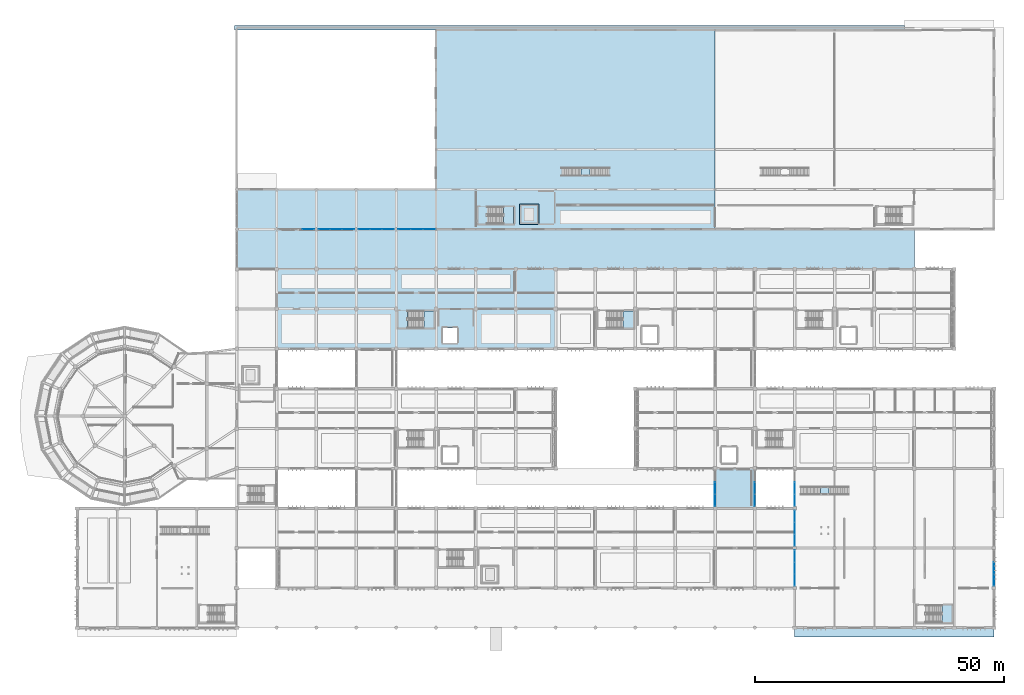
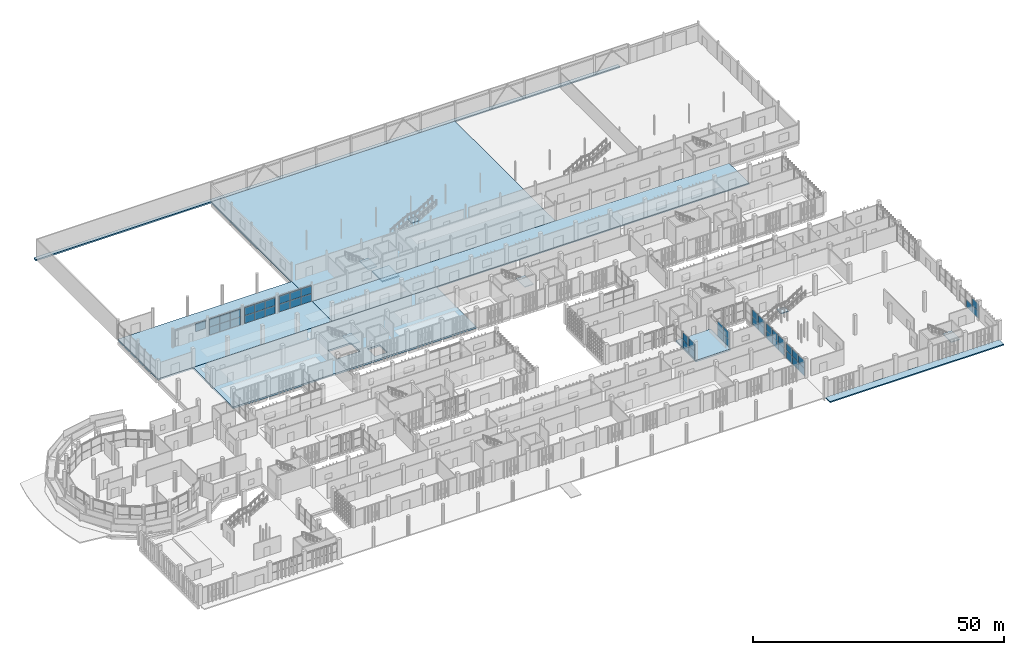
# One storey, part 79 of 117: 46 plates, 14 slabs, 16 elements without a shape of their own.
"""IFC4 building model written with IfcOpenShell, lengths in metres."""

from ifc_helpers import new_model, si_unit, direction, frame, origin, origin_2d, place, context, subcontext, project, spatial, polyline, rectangle, outline, extrude, material, layer, layer_set, type_object, element, aggregate, save


model = new_model("IFC4")

# Units and contexts
model_context = context("Model", 3, precision=1e-05, world=origin(), true_north=direction((0.0, 1.0)))
body_context = subcontext(model_context, "Body", "Model", "MODEL_VIEW")
ifc_project = project(units=[si_unit("LENGTHUNIT", "METRE"), si_unit("AREAUNIT", "SQUARE_METRE"), si_unit("VOLUMEUNIT", "CUBIC_METRE"), si_unit("PLANEANGLEUNIT", "RADIAN"), si_unit("MASSUNIT", "GRAM", prefix="KILO")], contexts=[model_context])

# Site, building, storey
site_placement = place(None, origin())
site = spatial("IfcSite", under=ifc_project, at=site_placement, CompositionType="ELEMENT")
building_placement = place(site_placement, origin())
building = spatial("IfcBuilding", under=site, at=building_placement, Name="Jelvoka-Kovrelna Polytechnic", CompositionType="ELEMENT")
storey_placement = place(building_placement, origin())
storey = spatial("IfcBuildingStorey", under=building, at=storey_placement, Name="L01", CompositionType="ELEMENT", Elevation=0.0)

# Curtain wall, plates
ifc_material_1 = material(Name="Anodised aluminium 6063-T6", Category="aluminium")
ifc_layer_1 = layer(ifc_material_1, 0.159912109375)
ifc_layer_set_1 = layer_set([ifc_layer_1], Name="Anodised aluminium 6063-T6")
curtain_wall_type_1 = type_object("IfcCurtainWallType", Name="CW_LinkBridge", PredefinedType="NOTDEFINED", material=ifc_layer_set_1)
curtain_wall_1_placement = place(storey_placement, origin())
curtain_wall_1 = element("IfcCurtainWall", 1, at=curtain_wall_1_placement, inside=storey, type_object=curtain_wall_type_1, Name="L01 glazed curtain wall 106", PredefinedType="NOTDEFINED")
ifc_material_2 = material(Name="Solar-control double glazing", Category="glass")
ifc_layer_2 = layer(ifc_material_2, 0.02392578125)
ifc_layer_set_2 = layer_set([ifc_layer_2], Name="Solar-control double glazing")
plate_type_1 = type_object("IfcPlateType", Name="Panel_GP-04", PredefinedType="CURTAIN_PANEL", material=ifc_layer_set_2)
plate_1_placement = place(storey_placement, frame((144.0, 25.614990234375, 0.052001953125), z_axis=(0.0, 0.0, 1.0), x_axis=(0.0, 1.0, 0.0)))
plate_1 = element("IfcPlate", 2, at=plate_1_placement, type_object=plate_type_1, Name="CW-04 panel 1.1", PredefinedType="CURTAIN_PANEL", context=body_context, shape_type="SweptSolid", body=[
    extrude(rectangle(XDim=2.326171875, YDim=0.02392578125, at=origin_2d()), origin(), (0.0, 0.0, 1.0), 1.80615234375),
])
plate_2_placement = place(storey_placement, frame((144.0, 25.614990234375, 1.90185546875), z_axis=(0.0, 0.0, 1.0), x_axis=(0.0, 1.0, 0.0)))
plate_2 = element("IfcPlate", 3, at=plate_2_placement, type_object=plate_type_1, Name="CW-04 panel 1.2", PredefinedType="CURTAIN_PANEL", context=body_context, shape_type="SweptSolid", body=[
    extrude(rectangle(XDim=2.326171875, YDim=0.02392578125, at=origin_2d()), origin(), (0.0, 0.0, 1.0), 1.80615234375),
])
plate_3_placement = place(storey_placement, frame((144.0, 28.0, 0.052001953125), z_axis=(0.0, 0.0, 1.0), x_axis=(0.0, 1.0, 0.0)))
plate_3 = element("IfcPlate", 4, at=plate_3_placement, type_object=plate_type_1, Name="CW-04 panel 2.1", PredefinedType="CURTAIN_PANEL", context=body_context, shape_type="SweptSolid", body=[
    extrude(rectangle(XDim=2.356201171875, YDim=0.02392578125, at=origin_2d()), origin(), (0.0, 0.0, 1.0), 1.80615234375),
])
plate_4_placement = place(storey_placement, frame((144.0, 28.0, 1.90185546875), z_axis=(0.0, 0.0, 1.0), x_axis=(0.0, 1.0, 0.0)))
plate_4 = element("IfcPlate", 5, at=plate_4_placement, type_object=plate_type_1, Name="CW-04 panel 2.2", PredefinedType="CURTAIN_PANEL", context=body_context, shape_type="SweptSolid", body=[
    extrude(rectangle(XDim=2.356201171875, YDim=0.02392578125, at=origin_2d()), origin(), (0.0, 0.0, 1.0), 1.80615234375),
])
aggregate(curtain_wall_1, [plate_1, plate_2, plate_3, plate_4])

curtain_wall_2_placement = place(storey_placement, origin())
curtain_wall_2 = element("IfcCurtainWall", 6, at=curtain_wall_2_placement, inside=storey, type_object=curtain_wall_type_1, Name="L01 glazed curtain wall 107", PredefinedType="NOTDEFINED")
plate_5_placement = place(storey_placement, frame((152.0, 28.0, 0.052001953125), z_axis=(0.0, 0.0, 1.0), x_axis=(0.0, -1.0, 0.0)))
plate_5 = element("IfcPlate", 7, at=plate_5_placement, type_object=plate_type_1, Name="CW-04 panel 2.1", PredefinedType="CURTAIN_PANEL", context=body_context, shape_type="SweptSolid", body=[
    extrude(rectangle(XDim=2.356201171875, YDim=0.02392578125, at=origin_2d()), origin(), (0.0, 0.0, 1.0), 1.80615234375),
])
plate_6_placement = place(storey_placement, frame((152.0, 28.0, 1.90185546875), z_axis=(0.0, 0.0, 1.0), x_axis=(0.0, -1.0, 0.0)))
plate_6 = element("IfcPlate", 8, at=plate_6_placement, type_object=plate_type_1, Name="CW-04 panel 2.2", PredefinedType="CURTAIN_PANEL", context=body_context, shape_type="SweptSolid", body=[
    extrude(rectangle(XDim=2.356201171875, YDim=0.02392578125, at=origin_2d()), origin(), (0.0, 0.0, 1.0), 1.80615234375),
])
plate_7_placement = place(storey_placement, frame((152.0, 25.614990234375, 0.052001953125), z_axis=(0.0, 0.0, 1.0), x_axis=(0.0, -1.0, 0.0)))
plate_7 = element("IfcPlate", 9, at=plate_7_placement, type_object=plate_type_1, Name="CW-04 panel 3.1", PredefinedType="CURTAIN_PANEL", context=body_context, shape_type="SweptSolid", body=[
    extrude(rectangle(XDim=2.326171875, YDim=0.02392578125, at=origin_2d()), origin(), (0.0, 0.0, 1.0), 1.80615234375),
])
plate_8_placement = place(storey_placement, frame((152.0, 25.614990234375, 1.90185546875), z_axis=(0.0, 0.0, 1.0), x_axis=(0.0, -1.0, 0.0)))
plate_8 = element("IfcPlate", 10, at=plate_8_placement, type_object=plate_type_1, Name="CW-04 panel 3.2", PredefinedType="CURTAIN_PANEL", context=body_context, shape_type="SweptSolid", body=[
    extrude(rectangle(XDim=2.326171875, YDim=0.02392578125, at=origin_2d()), origin(), (0.0, 0.0, 1.0), 1.80615234375),
])
aggregate(curtain_wall_2, [plate_5, plate_6, plate_7, plate_8])

# Curtain wall, plate
ifc_material_3 = material(Name="Anodised aluminium 6063-T6", Category="aluminium")
ifc_layer_3 = layer(ifc_material_3, 0.179931640625)
ifc_layer_set_3 = layer_set([ifc_layer_3], Name="Anodised aluminium 6063-T6")
curtain_wall_type_2 = type_object("IfcCurtainWallType", Name="CW_Pavilion", PredefinedType="NOTDEFINED", material=ifc_layer_set_3)
curtain_wall_3_placement = place(storey_placement, origin())
curtain_wall_3 = element("IfcCurtainWall", 11, at=curtain_wall_3_placement, inside=storey, type_object=curtain_wall_type_2, Name="L01 glazed curtain wall 165", PredefinedType="NOTDEFINED")
ifc_material_4 = material(Name="Solar-control double glazing", Category="glass")
ifc_layer_4 = layer(ifc_material_4, 0.030029296875)
ifc_layer_set_4 = layer_set([ifc_layer_4], Name="Solar-control double glazing")
plate_type_2 = type_object("IfcPlateType", Name="Panel_GP-05", PredefinedType="CURTAIN_PANEL", material=ifc_layer_set_4)
plate_9_placement = place(storey_placement, frame((62.3837890625, 80.0, 2.001953125), z_axis=(0.0, 0.0, 1.0), x_axis=(1.0, 0.0, 0.0)))
plate_9 = element("IfcPlate", 12, at=plate_9_placement, type_object=plate_type_2, Name="CW-05 panel 3.2", PredefinedType="CURTAIN_PANEL", context=body_context, shape_type="SweptSolid", body=[
    extrude(rectangle(XDim=2.318603515625, YDim=0.030029296875, at=origin_2d()), origin(), (0.0, 0.0, 1.0), 1.89599609375),
])
aggregate(curtain_wall_3, [plate_9])

# Curtain wall, plates
curtain_wall_4_placement = place(storey_placement, origin())
curtain_wall_4 = element("IfcCurtainWall", 13, at=curtain_wall_4_placement, inside=storey, type_object=curtain_wall_type_2, Name="L01 glazed curtain wall 166", PredefinedType="NOTDEFINED")
plate_10_placement = place(storey_placement, frame((65.6162109375, 80.0, 0.056884765625), z_axis=(0.0, 0.0, 1.0), x_axis=(1.0, 0.0, 0.0)))
plate_10 = element("IfcPlate", 14, at=plate_10_placement, type_object=plate_type_2, Name="CW-05 panel 1.1", PredefinedType="CURTAIN_PANEL", context=body_context, shape_type="SweptSolid", body=[
    extrude(rectangle(XDim=2.318603515625, YDim=0.030029296875, at=origin_2d()), origin(), (0.0, 0.0, 1.0), 1.89599609375),
])
plate_11_placement = place(storey_placement, frame((65.6162109375, 80.0, 2.001953125), z_axis=(0.0, 0.0, 1.0), x_axis=(1.0, 0.0, 0.0)))
plate_11 = element("IfcPlate", 15, at=plate_11_placement, type_object=plate_type_2, Name="CW-05 panel 1.2", PredefinedType="CURTAIN_PANEL", context=body_context, shape_type="SweptSolid", body=[
    extrude(rectangle(XDim=2.318603515625, YDim=0.030029296875, at=origin_2d()), origin(), (0.0, 0.0, 1.0), 1.89599609375),
])
plate_12_placement = place(storey_placement, frame((68.0, 80.0, 0.056884765625), z_axis=(0.0, 0.0, 1.0), x_axis=(1.0, 0.0, 0.0)))
plate_12 = element("IfcPlate", 16, at=plate_12_placement, type_object=plate_type_2, Name="CW-05 panel 2.1", PredefinedType="CURTAIN_PANEL", context=body_context, shape_type="SweptSolid", body=[
    extrude(rectangle(XDim=2.35107421875, YDim=0.030029296875, at=origin_2d()), origin(), (0.0, 0.0, 1.0), 1.89599609375),
])
plate_13_placement = place(storey_placement, frame((68.0, 80.0, 2.001953125), z_axis=(0.0, 0.0, 1.0), x_axis=(1.0, 0.0, 0.0)))
plate_13 = element("IfcPlate", 17, at=plate_13_placement, type_object=plate_type_2, Name="CW-05 panel 2.2", PredefinedType="CURTAIN_PANEL", context=body_context, shape_type="SweptSolid", body=[
    extrude(rectangle(XDim=2.35107421875, YDim=0.030029296875, at=origin_2d()), origin(), (0.0, 0.0, 1.0), 1.89599609375),
])
plate_14_placement = place(storey_placement, frame((70.3837890625, 80.0, 0.056884765625), z_axis=(0.0, 0.0, 1.0), x_axis=(1.0, 0.0, 0.0)))
plate_14 = element("IfcPlate", 18, at=plate_14_placement, type_object=plate_type_2, Name="CW-05 panel 3.1", PredefinedType="CURTAIN_PANEL", context=body_context, shape_type="SweptSolid", body=[
    extrude(rectangle(XDim=2.318603515625, YDim=0.030029296875, at=origin_2d()), origin(), (0.0, 0.0, 1.0), 1.89599609375),
])
plate_15_placement = place(storey_placement, frame((70.3837890625, 80.0, 2.001953125), z_axis=(0.0, 0.0, 1.0), x_axis=(1.0, 0.0, 0.0)))
plate_15 = element("IfcPlate", 19, at=plate_15_placement, type_object=plate_type_2, Name="CW-05 panel 3.2", PredefinedType="CURTAIN_PANEL", context=body_context, shape_type="SweptSolid", body=[
    extrude(rectangle(XDim=2.318603515625, YDim=0.030029296875, at=origin_2d()), origin(), (0.0, 0.0, 1.0), 1.89599609375),
])
aggregate(curtain_wall_4, [plate_10, plate_11, plate_12, plate_13, plate_14, plate_15])

curtain_wall_5_placement = place(storey_placement, origin())
curtain_wall_5 = element("IfcCurtainWall", 20, at=curtain_wall_5_placement, inside=storey, type_object=curtain_wall_type_2, Name="L01 glazed curtain wall 167", PredefinedType="NOTDEFINED")
plate_16_placement = place(storey_placement, frame((73.6162109375, 80.0, 0.056884765625), z_axis=(0.0, 0.0, 1.0), x_axis=(1.0, 0.0, 0.0)))
plate_16 = element("IfcPlate", 21, at=plate_16_placement, type_object=plate_type_2, Name="CW-05 panel 1.1", PredefinedType="CURTAIN_PANEL", context=body_context, shape_type="SweptSolid", body=[
    extrude(rectangle(XDim=2.318603515625, YDim=0.030029296875, at=origin_2d()), origin(), (0.0, 0.0, 1.0), 1.89599609375),
])
plate_17_placement = place(storey_placement, frame((73.6162109375, 80.0, 2.001953125), z_axis=(0.0, 0.0, 1.0), x_axis=(1.0, 0.0, 0.0)))
plate_17 = element("IfcPlate", 22, at=plate_17_placement, type_object=plate_type_2, Name="CW-05 panel 1.2", PredefinedType="CURTAIN_PANEL", context=body_context, shape_type="SweptSolid", body=[
    extrude(rectangle(XDim=2.318603515625, YDim=0.030029296875, at=origin_2d()), origin(), (0.0, 0.0, 1.0), 1.89599609375),
])
plate_18_placement = place(storey_placement, frame((76.0, 80.0, 0.056884765625), z_axis=(0.0, 0.0, 1.0), x_axis=(1.0, 0.0, 0.0)))
plate_18 = element("IfcPlate", 23, at=plate_18_placement, type_object=plate_type_2, Name="CW-05 panel 2.1", PredefinedType="CURTAIN_PANEL", context=body_context, shape_type="SweptSolid", body=[
    extrude(rectangle(XDim=2.35107421875, YDim=0.030029296875, at=origin_2d()), origin(), (0.0, 0.0, 1.0), 1.89599609375),
])
plate_19_placement = place(storey_placement, frame((76.0, 80.0, 2.001953125), z_axis=(0.0, 0.0, 1.0), x_axis=(1.0, 0.0, 0.0)))
plate_19 = element("IfcPlate", 24, at=plate_19_placement, type_object=plate_type_2, Name="CW-05 panel 2.2", PredefinedType="CURTAIN_PANEL", context=body_context, shape_type="SweptSolid", body=[
    extrude(rectangle(XDim=2.35107421875, YDim=0.030029296875, at=origin_2d()), origin(), (0.0, 0.0, 1.0), 1.89599609375),
])
plate_20_placement = place(storey_placement, frame((78.3837890625, 80.0, 0.056884765625), z_axis=(0.0, 0.0, 1.0), x_axis=(1.0, 0.0, 0.0)))
plate_20 = element("IfcPlate", 25, at=plate_20_placement, type_object=plate_type_2, Name="CW-05 panel 3.1", PredefinedType="CURTAIN_PANEL", context=body_context, shape_type="SweptSolid", body=[
    extrude(rectangle(XDim=2.318603515625, YDim=0.030029296875, at=origin_2d()), origin(), (0.0, 0.0, 1.0), 1.89599609375),
])
plate_21_placement = place(storey_placement, frame((78.3837890625, 80.0, 2.001953125), z_axis=(0.0, 0.0, 1.0), x_axis=(1.0, 0.0, 0.0)))
plate_21 = element("IfcPlate", 26, at=plate_21_placement, type_object=plate_type_2, Name="CW-05 panel 3.2", PredefinedType="CURTAIN_PANEL", context=body_context, shape_type="SweptSolid", body=[
    extrude(rectangle(XDim=2.318603515625, YDim=0.030029296875, at=origin_2d()), origin(), (0.0, 0.0, 1.0), 1.89599609375),
])
aggregate(curtain_wall_5, [plate_16, plate_17, plate_18, plate_19, plate_20, plate_21])

curtain_wall_6_placement = place(storey_placement, origin())
curtain_wall_6 = element("IfcCurtainWall", 27, at=curtain_wall_6_placement, inside=storey, type_object=curtain_wall_type_2, Name="L01 glazed curtain wall 168", PredefinedType="NOTDEFINED")
plate_22_placement = place(storey_placement, frame((81.6796875, 80.0, 0.056884765625), z_axis=(0.0, 0.0, 1.0), x_axis=(1.0, 0.0, 0.0)))
plate_22 = element("IfcPlate", 28, at=plate_22_placement, type_object=plate_type_2, Name="CW-05 panel 1.1", PredefinedType="CURTAIN_PANEL", context=body_context, shape_type="SweptSolid", body=[
    extrude(rectangle(XDim=2.4453125, YDim=0.030029296875, at=origin_2d()), origin(), (0.0, 0.0, 1.0), 1.89599609375),
])
plate_23_placement = place(storey_placement, frame((81.6796875, 80.0, 2.001953125), z_axis=(0.0, 0.0, 1.0), x_axis=(1.0, 0.0, 0.0)))
plate_23 = element("IfcPlate", 29, at=plate_23_placement, type_object=plate_type_2, Name="CW-05 panel 1.2", PredefinedType="CURTAIN_PANEL", context=body_context, shape_type="SweptSolid", body=[
    extrude(rectangle(XDim=2.4453125, YDim=0.030029296875, at=origin_2d()), origin(), (0.0, 0.0, 1.0), 1.89599609375),
])
plate_24_placement = place(storey_placement, frame((84.18994140625, 80.0, 0.056884765625), z_axis=(0.0, 0.0, 1.0), x_axis=(1.0, 0.0, 0.0)))
plate_24 = element("IfcPlate", 30, at=plate_24_placement, type_object=plate_type_2, Name="CW-05 panel 2.1", PredefinedType="CURTAIN_PANEL", context=body_context, shape_type="SweptSolid", body=[
    extrude(rectangle(XDim=2.477783203125, YDim=0.030029296875, at=origin_2d()), origin(), (0.0, 0.0, 1.0), 1.89599609375),
])
plate_25_placement = place(storey_placement, frame((84.18994140625, 80.0, 2.001953125), z_axis=(0.0, 0.0, 1.0), x_axis=(1.0, 0.0, 0.0)))
plate_25 = element("IfcPlate", 31, at=plate_25_placement, type_object=plate_type_2, Name="CW-05 panel 2.2", PredefinedType="CURTAIN_PANEL", context=body_context, shape_type="SweptSolid", body=[
    extrude(rectangle(XDim=2.477783203125, YDim=0.030029296875, at=origin_2d()), origin(), (0.0, 0.0, 1.0), 1.89599609375),
])
plate_26_placement = place(storey_placement, frame((86.700439453125, 80.0, 0.056884765625), z_axis=(0.0, 0.0, 1.0), x_axis=(1.0, 0.0, 0.0)))
plate_26 = element("IfcPlate", 32, at=plate_26_placement, type_object=plate_type_2, Name="CW-05 panel 3.1", PredefinedType="CURTAIN_PANEL", context=body_context, shape_type="SweptSolid", body=[
    extrude(rectangle(XDim=2.4453125, YDim=0.030029296875, at=origin_2d()), origin(), (0.0, 0.0, 1.0), 1.89599609375),
])
plate_27_placement = place(storey_placement, frame((86.700439453125, 80.0, 2.001953125), z_axis=(0.0, 0.0, 1.0), x_axis=(1.0, 0.0, 0.0)))
plate_27 = element("IfcPlate", 33, at=plate_27_placement, type_object=plate_type_2, Name="CW-05 panel 3.2", PredefinedType="CURTAIN_PANEL", context=body_context, shape_type="SweptSolid", body=[
    extrude(rectangle(XDim=2.4453125, YDim=0.030029296875, at=origin_2d()), origin(), (0.0, 0.0, 1.0), 1.89599609375),
])
aggregate(curtain_wall_6, [plate_22, plate_23, plate_24, plate_25, plate_26, plate_27])

curtain_wall_7_placement = place(storey_placement, origin())
curtain_wall_7 = element("IfcCurtainWall", 34, at=curtain_wall_7_placement, inside=storey, type_object=curtain_wall_type_2, Name="L01 glazed curtain wall 270", PredefinedType="NOTDEFINED")
plate_28_placement = place(storey_placement, frame((200.0, 12.0, 0.056884765625), z_axis=(0.0, 0.0, 1.0), x_axis=(0.0, -1.0, 0.0)))
plate_28 = element("IfcPlate", 35, at=plate_28_placement, type_object=plate_type_2, Name="CW-05 panel 2.1", PredefinedType="CURTAIN_PANEL", context=body_context, shape_type="SweptSolid", body=[
    extrude(rectangle(XDim=2.35107421875, YDim=0.030029296875, at=origin_2d()), origin(), (0.0, 0.0, 1.0), 1.713623046875),
])
plate_29_placement = place(storey_placement, frame((200.0, 9.6162109375, 0.056884765625), z_axis=(0.0, 0.0, 1.0), x_axis=(0.0, -1.0, 0.0)))
plate_29 = element("IfcPlate", 36, at=plate_29_placement, type_object=plate_type_2, Name="CW-05 panel 3.1", PredefinedType="CURTAIN_PANEL", context=body_context, shape_type="SweptSolid", body=[
    extrude(rectangle(XDim=2.318603515625, YDim=0.030029296875, at=origin_2d()), origin(), (0.0, 0.0, 1.0), 1.713623046875),
])
plate_30_placement = place(storey_placement, frame((200.0, 9.6162109375, 1.819580078125), z_axis=(0.0, 0.0, 1.0), x_axis=(0.0, -1.0, 0.0)))
plate_30 = element("IfcPlate", 37, at=plate_30_placement, type_object=plate_type_2, Name="CW-05 panel 3.2", PredefinedType="CURTAIN_PANEL", context=body_context, shape_type="SweptSolid", body=[
    extrude(rectangle(XDim=2.318603515625, YDim=0.030029296875, at=origin_2d()), origin(), (0.0, 0.0, 1.0), 1.713623046875),
])
aggregate(curtain_wall_7, [plate_28, plate_29, plate_30])

curtain_wall_8_placement = place(storey_placement, origin())
curtain_wall_8 = element("IfcCurtainWall", 38, at=curtain_wall_8_placement, inside=storey, type_object=curtain_wall_type_2, Name="L01 glazed curtain wall 272", PredefinedType="NOTDEFINED")
plate_31_placement = place(storey_placement, frame((160.0, 9.6162109375, 0.056884765625), z_axis=(0.0, 0.0, 1.0), x_axis=(0.0, 1.0, 0.0)))
plate_31 = element("IfcPlate", 39, at=plate_31_placement, type_object=plate_type_2, Name="CW-05 panel 1.1", PredefinedType="CURTAIN_PANEL", context=body_context, shape_type="SweptSolid", body=[
    extrude(rectangle(XDim=2.318603515625, YDim=0.030029296875, at=origin_2d()), origin(), (0.0, 0.0, 1.0), 1.82470703125),
])
plate_32_placement = place(storey_placement, frame((160.0, 9.6162109375, 1.930419921875), z_axis=(0.0, 0.0, 1.0), x_axis=(0.0, 1.0, 0.0)))
plate_32 = element("IfcPlate", 40, at=plate_32_placement, type_object=plate_type_2, Name="CW-05 panel 1.2", PredefinedType="CURTAIN_PANEL", context=body_context, shape_type="SweptSolid", body=[
    extrude(rectangle(XDim=2.318603515625, YDim=0.030029296875, at=origin_2d()), origin(), (0.0, 0.0, 1.0), 1.82470703125),
])
plate_33_placement = place(storey_placement, frame((160.0, 12.0, 0.056884765625), z_axis=(0.0, 0.0, 1.0), x_axis=(0.0, 1.0, 0.0)))
plate_33 = element("IfcPlate", 41, at=plate_33_placement, type_object=plate_type_2, Name="CW-05 panel 2.1", PredefinedType="CURTAIN_PANEL", context=body_context, shape_type="SweptSolid", body=[
    extrude(rectangle(XDim=2.35107421875, YDim=0.030029296875, at=origin_2d()), origin(), (0.0, 0.0, 1.0), 1.82470703125),
])
plate_34_placement = place(storey_placement, frame((160.0, 12.0, 1.930419921875), z_axis=(0.0, 0.0, 1.0), x_axis=(0.0, 1.0, 0.0)))
plate_34 = element("IfcPlate", 42, at=plate_34_placement, type_object=plate_type_2, Name="CW-05 panel 2.2", PredefinedType="CURTAIN_PANEL", context=body_context, shape_type="SweptSolid", body=[
    extrude(rectangle(XDim=2.35107421875, YDim=0.030029296875, at=origin_2d()), origin(), (0.0, 0.0, 1.0), 1.82470703125),
])
plate_35_placement = place(storey_placement, frame((160.0, 14.3837890625, 0.056884765625), z_axis=(0.0, 0.0, 1.0), x_axis=(0.0, 1.0, 0.0)))
plate_35 = element("IfcPlate", 43, at=plate_35_placement, type_object=plate_type_2, Name="CW-05 panel 3.1", PredefinedType="CURTAIN_PANEL", context=body_context, shape_type="SweptSolid", body=[
    extrude(rectangle(XDim=2.318603515625, YDim=0.030029296875, at=origin_2d()), origin(), (0.0, 0.0, 1.0), 1.82470703125),
])
plate_36_placement = place(storey_placement, frame((160.0, 14.3837890625, 1.930419921875), z_axis=(0.0, 0.0, 1.0), x_axis=(0.0, 1.0, 0.0)))
plate_36 = element("IfcPlate", 44, at=plate_36_placement, type_object=plate_type_2, Name="CW-05 panel 3.2", PredefinedType="CURTAIN_PANEL", context=body_context, shape_type="SweptSolid", body=[
    extrude(rectangle(XDim=2.318603515625, YDim=0.030029296875, at=origin_2d()), origin(), (0.0, 0.0, 1.0), 1.82470703125),
])
aggregate(curtain_wall_8, [plate_31, plate_32, plate_33, plate_34, plate_35, plate_36])

curtain_wall_9_placement = place(storey_placement, origin())
curtain_wall_9 = element("IfcCurtainWall", 45, at=curtain_wall_9_placement, inside=storey, type_object=curtain_wall_type_2, Name="L01 glazed curtain wall 273", PredefinedType="NOTDEFINED")
plate_37_placement = place(storey_placement, frame((160.0, 17.6162109375, 0.056884765625), z_axis=(0.0, 0.0, 1.0), x_axis=(0.0, 1.0, 0.0)))
plate_37 = element("IfcPlate", 46, at=plate_37_placement, type_object=plate_type_2, Name="CW-05 panel 1.1", PredefinedType="CURTAIN_PANEL", context=body_context, shape_type="SweptSolid", body=[
    extrude(rectangle(XDim=2.318603515625, YDim=0.030029296875, at=origin_2d()), origin(), (0.0, 0.0, 1.0), 1.82470703125),
])
plate_38_placement = place(storey_placement, frame((160.0, 17.6162109375, 1.930419921875), z_axis=(0.0, 0.0, 1.0), x_axis=(0.0, 1.0, 0.0)))
plate_38 = element("IfcPlate", 47, at=plate_38_placement, type_object=plate_type_2, Name="CW-05 panel 1.2", PredefinedType="CURTAIN_PANEL", context=body_context, shape_type="SweptSolid", body=[
    extrude(rectangle(XDim=2.318603515625, YDim=0.030029296875, at=origin_2d()), origin(), (0.0, 0.0, 1.0), 1.82470703125),
])
plate_39_placement = place(storey_placement, frame((160.0, 20.0, 0.056884765625), z_axis=(0.0, 0.0, 1.0), x_axis=(0.0, 1.0, 0.0)))
plate_39 = element("IfcPlate", 48, at=plate_39_placement, type_object=plate_type_2, Name="CW-05 panel 2.1", PredefinedType="CURTAIN_PANEL", context=body_context, shape_type="SweptSolid", body=[
    extrude(rectangle(XDim=2.35107421875, YDim=0.030029296875, at=origin_2d()), origin(), (0.0, 0.0, 1.0), 1.82470703125),
])
plate_40_placement = place(storey_placement, frame((160.0, 20.0, 1.930419921875), z_axis=(0.0, 0.0, 1.0), x_axis=(0.0, 1.0, 0.0)))
plate_40 = element("IfcPlate", 49, at=plate_40_placement, type_object=plate_type_2, Name="CW-05 panel 2.2", PredefinedType="CURTAIN_PANEL", context=body_context, shape_type="SweptSolid", body=[
    extrude(rectangle(XDim=2.35107421875, YDim=0.030029296875, at=origin_2d()), origin(), (0.0, 0.0, 1.0), 1.82470703125),
])
plate_41_placement = place(storey_placement, frame((160.0, 22.3837890625, 0.056884765625), z_axis=(0.0, 0.0, 1.0), x_axis=(0.0, 1.0, 0.0)))
plate_41 = element("IfcPlate", 50, at=plate_41_placement, type_object=plate_type_2, Name="CW-05 panel 3.1", PredefinedType="CURTAIN_PANEL", context=body_context, shape_type="SweptSolid", body=[
    extrude(rectangle(XDim=2.318603515625, YDim=0.030029296875, at=origin_2d()), origin(), (0.0, 0.0, 1.0), 1.82470703125),
])
plate_42_placement = place(storey_placement, frame((160.0, 22.3837890625, 1.930419921875), z_axis=(0.0, 0.0, 1.0), x_axis=(0.0, 1.0, 0.0)))
plate_42 = element("IfcPlate", 51, at=plate_42_placement, type_object=plate_type_2, Name="CW-05 panel 3.2", PredefinedType="CURTAIN_PANEL", context=body_context, shape_type="SweptSolid", body=[
    extrude(rectangle(XDim=2.318603515625, YDim=0.030029296875, at=origin_2d()), origin(), (0.0, 0.0, 1.0), 1.82470703125),
])
aggregate(curtain_wall_9, [plate_37, plate_38, plate_39, plate_40, plate_41, plate_42])

curtain_wall_10_placement = place(storey_placement, origin())
curtain_wall_10 = element("IfcCurtainWall", 52, at=curtain_wall_10_placement, inside=storey, type_object=curtain_wall_type_2, Name="L01 glazed curtain wall 274", PredefinedType="NOTDEFINED")
plate_43_placement = place(storey_placement, frame((160.0, 25.6162109375, 0.056884765625), z_axis=(0.0, 0.0, 1.0), x_axis=(0.0, 1.0, 0.0)))
plate_43 = element("IfcPlate", 53, at=plate_43_placement, type_object=plate_type_2, Name="CW-05 panel 1.1", PredefinedType="CURTAIN_PANEL", context=body_context, shape_type="SweptSolid", body=[
    extrude(rectangle(XDim=2.318603515625, YDim=0.030029296875, at=origin_2d()), origin(), (0.0, 0.0, 1.0), 1.82470703125),
])
plate_44_placement = place(storey_placement, frame((160.0, 25.6162109375, 1.930419921875), z_axis=(0.0, 0.0, 1.0), x_axis=(0.0, 1.0, 0.0)))
plate_44 = element("IfcPlate", 54, at=plate_44_placement, type_object=plate_type_2, Name="CW-05 panel 1.2", PredefinedType="CURTAIN_PANEL", context=body_context, shape_type="SweptSolid", body=[
    extrude(rectangle(XDim=2.318603515625, YDim=0.030029296875, at=origin_2d()), origin(), (0.0, 0.0, 1.0), 1.82470703125),
])
plate_45_placement = place(storey_placement, frame((160.0, 28.0, 0.056884765625), z_axis=(0.0, 0.0, 1.0), x_axis=(0.0, 1.0, 0.0)))
plate_45 = element("IfcPlate", 55, at=plate_45_placement, type_object=plate_type_2, Name="CW-05 panel 2.1", PredefinedType="CURTAIN_PANEL", context=body_context, shape_type="SweptSolid", body=[
    extrude(rectangle(XDim=2.35107421875, YDim=0.030029296875, at=origin_2d()), origin(), (0.0, 0.0, 1.0), 1.82470703125),
])
plate_46_placement = place(storey_placement, frame((160.0, 28.0, 1.930419921875), z_axis=(0.0, 0.0, 1.0), x_axis=(0.0, 1.0, 0.0)))
plate_46 = element("IfcPlate", 56, at=plate_46_placement, type_object=plate_type_2, Name="CW-05 panel 2.2", PredefinedType="CURTAIN_PANEL", context=body_context, shape_type="SweptSolid", body=[
    extrude(rectangle(XDim=2.35107421875, YDim=0.030029296875, at=origin_2d()), origin(), (0.0, 0.0, 1.0), 1.82470703125),
])
aggregate(curtain_wall_10, [plate_43, plate_44, plate_45, plate_46])

# Slabs
ifc_material_5 = material(Name="Concrete C35/45", Category="concrete")
ifc_layer_5 = layer(ifc_material_5, 0.280029296875)
ifc_layer_set_5 = layer_set([ifc_layer_5], Name="Concrete C35/45")
slab_type_1 = type_object("IfcSlabType", Name="Slab_Base_280", PredefinedType="BASESLAB", material=ifc_layer_set_5)
slab_1_placement = place(storey_placement, frame((0.0, 0.0, -0.280029296875)))
element("IfcSlab", 57, at=slab_1_placement, inside=storey, type_object=slab_type_1, Name="L01 south refectory entrance plinth terrace", PredefinedType="BASESLAB", context=body_context, shape_type="SweptSolid", body=[
    extrude(outline(polyline([(160.0, -1.800048828125), (200.0, -1.800048828125), (200.0, 0.0), (160.0, 0.0), (160.0, -1.800048828125)])), origin(), (0.0, 0.0, 1.0), 0.280029296875),
])
slab_2_placement = place(storey_placement, frame((0.0, 0.0, -0.280029296875)))
element("IfcSlab", 58, at=slab_2_placement, inside=storey, type_object=slab_type_1, Name="L01 north workshop courtyard walk", PredefinedType="BASESLAB", context=body_context, shape_type="SweptSolid", body=[
    extrude(outline(polyline([(88.0, 72.0), (184.0, 72.0), (184.0, 80.0), (88.0, 80.0), (88.0, 72.0)])), origin(), (0.0, 0.0, 1.0), 0.280029296875),
])
ifc_material_6 = material(Name="Concrete C35/45", Category="concrete")
ifc_layer_6 = layer(ifc_material_6, 0.35009765625)
ifc_layer_set_6 = layer_set([ifc_layer_6], Name="Concrete C35/45")
slab_type_2 = type_object("IfcSlabType", Name="Slab_Base_350", PredefinedType="BASESLAB", material=ifc_layer_set_6)
slab_3_placement = place(storey_placement, frame((0.0, 0.0, -0.35009765625)))
element("IfcSlab", 59, at=slab_3_placement, inside=storey, type_object=slab_type_2, Name="L01 north white wall structural foundation beam slab", PredefinedType="BASESLAB", context=body_context, shape_type="SweptSolid", body=[
    extrude(outline(polyline([(47.60009765625, 120.02001953125), (181.97998046875, 120.02001953125), (181.97998046875, 120.85009765625), (47.60009765625, 120.85009765625), (47.60009765625, 120.02001953125)])), origin(), (0.0, 0.0, 1.0), 0.35009765625),
])
slab_4_placement = place(storey_placement, frame((0.0, 0.0, -1.85009765625)))
element("IfcSlab", 60, at=slab_4_placement, inside=storey, type_object=slab_type_2, Name="L01 lift pit base slab LF-G1", PredefinedType="BASESLAB", context=body_context, shape_type="SweptSolid", body=[
    extrude(outline(polyline([(104.75, 80.949951171875), (108.64990234375, 80.949951171875), (108.64990234375, 85.050048828125), (104.75, 85.050048828125), (104.75, 80.949951171875)])), origin(), (0.0, 0.0, 1.0), 0.35009765625),
])
ifc_material_7 = material(Name="Concrete C35/45", Category="concrete")
ifc_layer_7 = layer(ifc_material_7, 0.405029296875)
ifc_layer_set_7 = layer_set([ifc_layer_7], Name="Concrete C35/45")
slab_type_3 = type_object("IfcSlabType", Name="Slab_Base_400", PredefinedType="BASESLAB", material=ifc_layer_set_7)
slab_5_placement = place(storey_placement, frame((0.0, 0.0, -0.405029296875)))
element("IfcSlab", 61, at=slab_5_placement, inside=storey, type_object=slab_type_3, Name="L01 V1W structural slab", PredefinedType="BASESLAB", context=body_context, shape_type="SweptSolid", body=[
    extrude(outline(polyline([(88.0, 80.0), (144.0, 80.0), (144.0, 120.0), (88.0, 120.0), (88.0, 80.0)])), origin(), (0.0, 0.0, 1.0), 0.405029296875),
])
slab_6_placement = place(storey_placement, frame((0.0, 0.0, -0.405029296875)))
element("IfcSlab", 62, at=slab_6_placement, inside=storey, type_object=slab_type_3, Name="L01 V6N structural slab", PredefinedType="BASESLAB", context=body_context, shape_type="SweptSolid", body=[
    extrude(outline(polyline([(48.0, 72.0), (88.0, 72.0), (88.0, 88.0), (48.0, 88.0), (48.0, 72.0)])), origin(), (0.0, 0.0, 1.0), 0.405029296875),
])
slab_7_placement = place(storey_placement, frame((0.0, 0.0, -0.405029296875)))
element("IfcSlab", 63, at=slab_7_placement, inside=storey, type_object=slab_type_3, Name="L01 B3W structural slab", PredefinedType="BASESLAB", context=body_context, shape_type="SweptSolid", body=[
    extrude(outline(polyline([(56.0, 56.0), (112.0, 56.0), (112.0, 72.0), (56.0, 72.0), (56.0, 56.0)]), holes=[polyline([(89.39990234375, 57.199951171875), (92.199951171875, 57.199951171875), (92.199951171875, 60.199951171875), (89.39990234375, 60.199951171875), (89.39990234375, 57.199951171875)]), polyline([(82.264892578125, 60.199951171875), (87.60009765625, 60.199951171875), (87.60009765625, 63.639892578125), (82.264892578125, 63.639892578125), (82.264892578125, 60.199951171875)])]), origin(), (0.0, 0.0, 1.0), 0.405029296875),
])
slab_8_placement = place(storey_placement, frame((0.0, 0.0, -0.405029296875)))
element("IfcSlab", 64, at=slab_8_placement, inside=storey, type_object=slab_type_3, Name="L01 LNKSE structural slab", PredefinedType="BASESLAB", context=body_context, shape_type="SweptSolid", body=[
    extrude(outline(polyline([(144.0, 24.0), (152.0, 24.0), (152.0, 32.0), (144.0, 32.0), (144.0, 24.0)])), origin(), (0.0, 0.0, 1.0), 0.405029296875),
])

# Stair, slab
ifc_material_8 = material(Name="Concrete C35/45", Category="concrete")
stair_type_1 = type_object("IfcStairType", Name="Stair_Dogleg_1620", PredefinedType="TWO_STRAIGHT_RUN_STAIR", material=ifc_material_8)
stair_1_placement = place(storey_placement, origin())
stair_1 = element("IfcStair", 65, at=stair_1_placement, inside=storey, type_object=stair_type_1, Name="L01 ST01", PredefinedType="TWO_STRAIGHT_RUN_STAIR")
ifc_material_9 = material(Name="Concrete C35/45", Category="concrete")
ifc_layer_8 = layer(ifc_material_9, 0.199951171875)
ifc_layer_set_8 = layer_set([ifc_layer_8], Name="Concrete C35/45")
slab_type_4 = type_object("IfcSlabType", Name="Slab_Stair_Landing_200", PredefinedType="LANDING", material=ifc_layer_set_8)
slab_9_placement = place(storey_placement, frame((0.0, 0.0, 2.199951171875)))
slab_9 = element("IfcSlab", 66, at=slab_9_placement, type_object=slab_type_4, Name="ST01 landing 1", PredefinedType="LANDING", context=body_context, shape_type="SweptSolid", body=[
    extrude(outline(polyline([(101.550048828125, 81.10009765625), (103.60009765625, 81.10009765625), (103.60009765625, 84.5400390625), (101.550048828125, 84.5400390625), (101.550048828125, 81.10009765625)])), origin(), (0.0, 0.0, 1.0), 0.199951171875),
])
aggregate(stair_1, [slab_9])

stair_2_placement = place(storey_placement, origin())
stair_2 = element("IfcStair", 67, at=stair_2_placement, inside=storey, type_object=stair_type_1, Name="L01 ST05", PredefinedType="TWO_STRAIGHT_RUN_STAIR")
slab_10_placement = place(storey_placement, frame((0.0, 0.0, 2.199951171875)))
slab_10 = element("IfcSlab", 68, at=slab_10_placement, type_object=slab_type_4, Name="ST05 landing 1", PredefinedType="LANDING", context=body_context, shape_type="SweptSolid", body=[
    extrude(outline(polyline([(189.550048828125, 1.10009765625), (191.60009765625, 1.10009765625), (191.60009765625, 4.5400390625), (189.550048828125, 4.5400390625), (189.550048828125, 1.10009765625)])), origin(), (0.0, 0.0, 1.0), 0.199951171875),
])
aggregate(stair_2, [slab_10])

stair_3_placement = place(storey_placement, origin())
stair_3 = element("IfcStair", 69, at=stair_3_placement, inside=storey, type_object=stair_type_1, Name="L01 ST09", PredefinedType="TWO_STRAIGHT_RUN_STAIR")
slab_11_placement = place(storey_placement, frame((0.0, 0.0, 2.199951171875)))
slab_11 = element("IfcSlab", 70, at=slab_11_placement, type_object=slab_type_4, Name="ST09 landing 1", PredefinedType="LANDING", context=body_context, shape_type="SweptSolid", body=[
    extrude(outline(polyline([(85.550048828125, 60.199951171875), (87.60009765625, 60.199951171875), (87.60009765625, 63.639892578125), (85.550048828125, 63.639892578125), (85.550048828125, 60.199951171875)])), origin(), (0.0, 0.0, 1.0), 0.199951171875),
])
aggregate(stair_3, [slab_11])

ifc_material_10 = material(Name="Concrete C35/45", Category="concrete")
stair_type_2 = type_object("IfcStairType", Name="Stair_Dogleg_1580", PredefinedType="TWO_STRAIGHT_RUN_STAIR", material=ifc_material_10)
stair_4_placement = place(storey_placement, origin())
stair_4 = element("IfcStair", 71, at=stair_4_placement, inside=storey, type_object=stair_type_2, Name="L01 ST11", PredefinedType="TWO_STRAIGHT_RUN_STAIR")
slab_12_placement = place(storey_placement, frame((0.0, 0.0, 2.199951171875)))
slab_12 = element("IfcSlab", 72, at=slab_12_placement, type_object=slab_type_4, Name="ST11 landing 1", PredefinedType="LANDING", context=body_context, shape_type="SweptSolid", body=[
    extrude(outline(polyline([(125.550048828125, 60.199951171875), (127.60009765625, 60.199951171875), (127.60009765625, 63.639892578125), (125.550048828125, 63.639892578125), (125.550048828125, 60.199951171875)])), origin(), (0.0, 0.0, 1.0), 0.199951171875),
])
aggregate(stair_4, [slab_12])

ifc_material_11 = material(Name="Concrete C35/45", Category="concrete")
stair_type_3 = type_object("IfcStairType", Name="Stair_Straight_1650", PredefinedType="STRAIGHT_RUN_STAIR", material=ifc_material_11)
stair_5_placement = place(storey_placement, origin())
stair_5 = element("IfcStair", 73, at=stair_5_placement, inside=storey, type_object=stair_type_3, Name="L01 straight feature stair ST12", PredefinedType="STRAIGHT_RUN_STAIR")
slab_13_placement = place(storey_placement, frame((0.0, 0.0, 2.199951171875)))
slab_13 = element("IfcSlab", 74, at=slab_13_placement, type_object=slab_type_4, Name="ST12 landing 1", PredefinedType="LANDING", context=body_context, shape_type="SweptSolid", body=[
    extrude(outline(polyline([(117.1201171875, 90.675048828125), (118.919921875, 90.675048828125), (118.919921875, 92.324951171875), (117.1201171875, 92.324951171875), (117.1201171875, 90.675048828125)])), origin(), (0.0, 0.0, 1.0), 0.199951171875),
])
aggregate(stair_5, [slab_13])

stair_6_placement = place(storey_placement, origin())
stair_6 = element("IfcStair", 75, at=stair_6_placement, inside=storey, type_object=stair_type_3, Name="L01 straight feature stair ST16", PredefinedType="STRAIGHT_RUN_STAIR")
slab_14_placement = place(storey_placement, frame((0.0, 0.0, 2.199951171875)))
slab_14 = element("IfcSlab", 76, at=slab_14_placement, type_object=slab_type_4, Name="ST16 landing 1", PredefinedType="LANDING", context=body_context, shape_type="SweptSolid", body=[
    extrude(outline(polyline([(165.1201171875, 26.675048828125), (166.919921875, 26.675048828125), (166.919921875, 28.324951171875), (165.1201171875, 28.324951171875), (165.1201171875, 26.675048828125)])), origin(), (0.0, 0.0, 1.0), 0.199951171875),
])
aggregate(stair_6, [slab_14])

save(model, "model.ifc")
